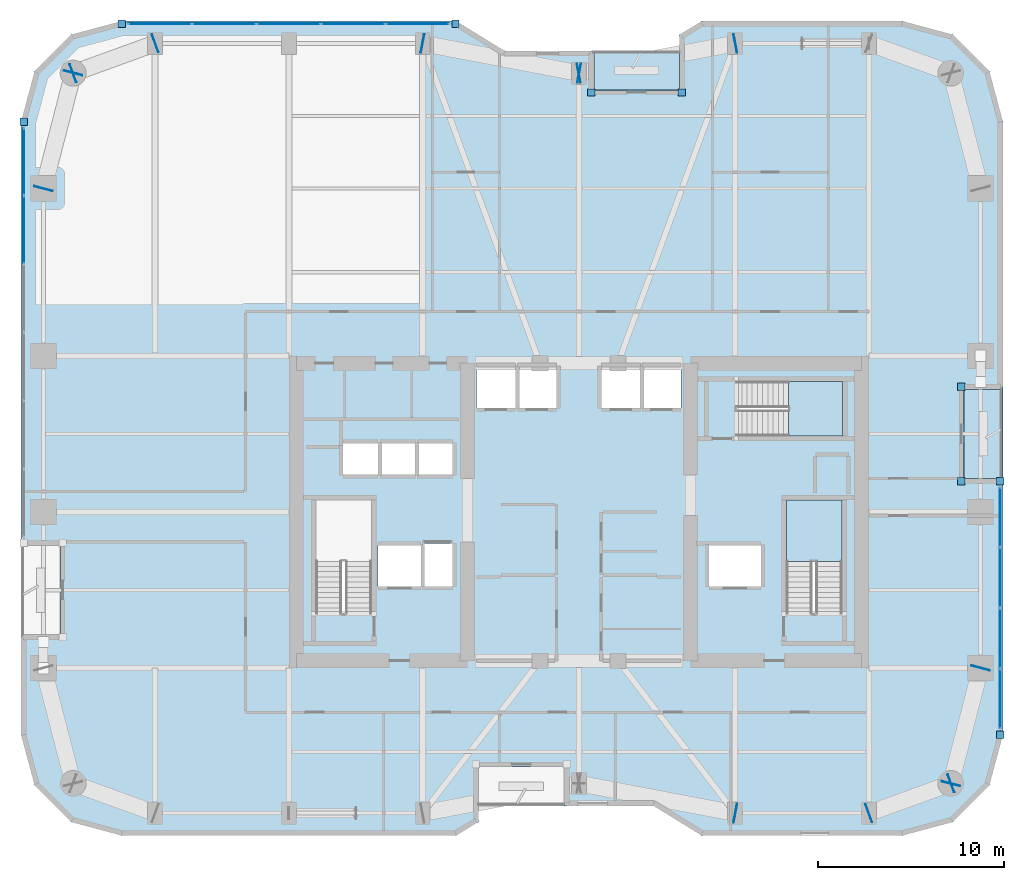
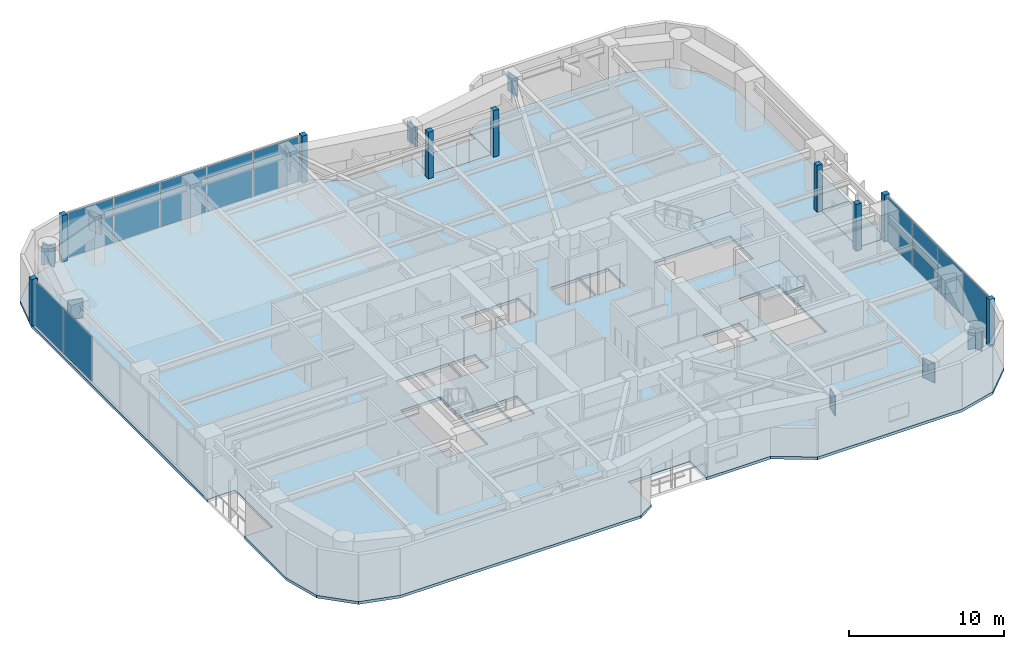
# One storey, part 22 of 31: 33 plates, 5 slabs, 5 elements without a shape of their own.
"""IFC4 building model written with IfcOpenShell, lengths in metres."""

from ifc_helpers import new_model, si_unit, direction, frame, origin, origin_2d, place, context, subcontext, project, spatial, polyline, rectangle, outline, extrude, material, layer, layer_set, type_object, element, aggregate, save


model = new_model("IFC4")

# Units and contexts
model_context = context("Model", 3, precision=1e-05, world=origin(), true_north=direction((0.0, 1.0)))
body_context = subcontext(model_context, "Body", "Model", "MODEL_VIEW")
ifc_project = project(units=[si_unit("LENGTHUNIT", "METRE"), si_unit("AREAUNIT", "SQUARE_METRE"), si_unit("VOLUMEUNIT", "CUBIC_METRE"), si_unit("PLANEANGLEUNIT", "RADIAN"), si_unit("MASSUNIT", "GRAM", prefix="KILO")], contexts=[model_context])

# Site, building, storey
site_placement = place(None, origin())
site = spatial("IfcSite", under=ifc_project, at=site_placement, CompositionType="ELEMENT")
building_placement = place(site_placement, origin())
building = spatial("IfcBuilding", under=site, at=building_placement, Name="Kiyonajd Concourse Tower", CompositionType="ELEMENT")
storey_placement = place(building_placement, frame((0.0, 0.0, 158.39990234375)))
storey = spatial("IfcBuildingStorey", under=building, at=storey_placement, Name="L40", CompositionType="ELEMENT", Elevation=158.39990234375)

# Plates
ifc_material_1 = material(Name="Steel ASTM A572 Grade 50", Category="steel")
ifc_layer_1 = layer(ifc_material_1, 0.031982421875)
ifc_layer_set_1 = layer_set([ifc_layer_1], Name="Steel ASTM A572 Grade 50")
plate_type_1 = type_object("IfcPlateType", Name="PL-CAP-540", PredefinedType="USERDEFINED", material=ifc_layer_set_1)
for number, where, z_axis, x_axis, name in (
    (1, (56.410888671875, 19.7978515625, 2.2099609375), (0.0, 0.0, 1.0), (0.982352599301, -0.187038420242, 0.0), "L40 Welded Box Girder End Cap"),
    (2, (63.589599609375, 19.796142578125, 2.2099609375), (0.0, 0.0, 1.0), (-0.939811951086, -0.341692107891, 0.0), "L40 Welded Box Girder End Cap"),
    (3, (68.01025390625, 21.40380859375, 2.2099609375), (0.0, 0.0, 1.0), (0.939811951086, 0.341692107891, 0.0), "L40 Welded Box Girder End Cap"),
    (4, (67.997314453125, 21.389404296875, 2.2099609375), (0.0, 0.0, 1.0), (-0.249873048837, -0.968278606324, 0.0), "L40 Welded Box Girder End Cap"),
    (5, (69.602783203125, 27.610595703125, 2.2099609375), (0.0, 0.0, 1.0), (0.249873048837, 0.968278606324, 0.0), "L40 Welded Box Girder End Cap"),
    (6, (56.410888671875, 61.2021484375, 2.2099609375), (0.0, 0.0, 1.0), (0.982352599301, 0.187038420242, 0.0), "L40 Welded Box Girder End Cap"),
    (7, (47.9892578125, 59.597900390625, 2.2099609375), (0.0, 0.0, 1.0), (-0.982352599301, -0.187038420242, 0.0), "L40 Welded Box Girder End Cap"),
    (8, (48.0107421875, 59.597900390625, 2.2099609375), (0.0, 0.0, 1.0), (0.982352599301, -0.187038420242, 0.0), "L40 Welded Box Girder End Cap"),
    (9, (39.589111328125, 61.2021484375, 2.2099609375), (0.0, 0.0, 1.0), (-0.982352599301, 0.187038420242, 0.0), "L40 Welded Box Girder End Cap"),
    (10, (25.210205078125, 61.203857421875, 2.2099609375), (0.0, 0.0, 1.0), (0.939811951086, 0.341692107891, 0.0), "L40 Welded Box Girder End Cap"),
    (11, (20.789794921875, 59.59619140625, 2.2099609375), (0.0, 0.0, 1.0), (-0.939811951086, -0.341692107891, 0.0), "L40 Welded Box Girder End Cap"),
    (12, (20.802734375, 59.610595703125, 2.2099609375), (0.0, 0.0, 1.0), (0.249873048837, 0.968278606324, 0.0), "L40 Welded Box Girder End Cap"),
    (13, (19.197265625, 53.389404296875, 2.2099609375), (0.0, 0.0, 1.0), (-0.249873048837, -0.968278606324, 0.0), "L40 Welded Box Girder End Cap"),
):
    element("IfcPlate", number, at=place(storey_placement, frame(where, z_axis=z_axis, x_axis=x_axis)), inside=storey, type_object=plate_type_1, Name=name, ObjectType="CAP PLATE", PredefinedType="USERDEFINED", context=body_context, shape_type="SweptSolid", body=[
        extrude(rectangle(XDim=0.035888671875, YDim=1.02001953125, at=origin_2d()), origin(), (0.0, 0.0, 1.0), 1.5400390625),
    ])

# Curtain wall, plates
ifc_material_2 = material(Name="Thermally Broken Anodised Aluminium", Category="aluminium")
ifc_layer_2 = layer(ifc_material_2, 0.179931640625)
ifc_layer_set_2 = layer_set([ifc_layer_2], Name="Thermally Broken Anodised Aluminium")
curtain_wall_type = type_object("IfcCurtainWallType", Name="CW-SYS-03", PredefinedType="NOTDEFINED", material=ifc_layer_set_2)
curtain_wall_1_placement = place(storey_placement, origin())
curtain_wall_1 = element("IfcCurtainWall", 14, at=curtain_wall_1_placement, inside=storey, type_object=curtain_wall_type, Name="L40 Unitised Curtain Wall CW3", PredefinedType="NOTDEFINED")
ifc_material_3 = material(Name="Double Low-E Insulated Glass", Category="glass")
ifc_layer_3 = layer(ifc_material_3, 0.033935546875)
ifc_layer_set_3 = layer_set([ifc_layer_3], Name="Double Low-E Insulated Glass")
plate_type_2 = type_object("IfcPlateType", Name="PL-CW-VIS34", PredefinedType="CURTAIN_PANEL", material=ifc_layer_set_3)
plate_1_placement = place(storey_placement, frame((18.139892578125, 51.17626953125, 0.06494140625), z_axis=(0.0, 0.0, 1.0), x_axis=(0.0, 1.0, 0.0)))
plate_1 = element("IfcPlate", 15, at=plate_1_placement, type_object=plate_type_2, Name="CW3 panel 5.1", PredefinedType="CURTAIN_PANEL", context=body_context, shape_type="SweptSolid", body=[
    extrude(rectangle(XDim=3.61181640625, YDim=0.033935546875, at=origin_2d()), origin(), (0.0, 0.0, 1.0), 3.550048828125),
])
plate_2_placement = place(storey_placement, frame((18.139892578125, 54.8369140625, 0.06494140625), z_axis=(0.0, 0.0, 1.0), x_axis=(0.0, 1.0, 0.0)))
plate_2 = element("IfcPlate", 16, at=plate_2_placement, type_object=plate_type_2, Name="CW3 panel 6.1", PredefinedType="CURTAIN_PANEL", context=body_context, shape_type="SweptSolid", body=[
    extrude(rectangle(XDim=3.579345703125, YDim=0.033935546875, at=origin_2d()), origin(), (0.0, 0.0, 1.0), 3.550048828125),
])
aggregate(curtain_wall_1, [plate_1, plate_2])

curtain_wall_2_placement = place(storey_placement, origin())
curtain_wall_2 = element("IfcCurtainWall", 17, at=curtain_wall_2_placement, inside=storey, type_object=curtain_wall_type, Name="L40 Unitised Curtain Wall CW3", PredefinedType="NOTDEFINED")
plate_3_placement = place(storey_placement, frame((25.4609375, 62.260009765625, 0.06494140625), z_axis=(0.0, 0.0, 1.0), x_axis=(1.0, 0.0, 0.0)))
plate_3 = element("IfcPlate", 18, at=plate_3_placement, type_object=plate_type_2, Name="CW3 panel 1.1", PredefinedType="CURTAIN_PANEL", context=body_context, shape_type="SweptSolid", body=[
    extrude(rectangle(XDim=3.375, YDim=0.033935546875, at=origin_2d()), origin(), (0.0, 0.0, 1.0), 3.550048828125),
])
plate_4_placement = place(storey_placement, frame((28.9169921875, 62.260009765625, 0.06494140625), z_axis=(0.0, 0.0, 1.0), x_axis=(1.0, 0.0, 0.0)))
plate_4 = element("IfcPlate", 19, at=plate_4_placement, type_object=plate_type_2, Name="CW3 panel 2.1", PredefinedType="CURTAIN_PANEL", context=body_context, shape_type="SweptSolid", body=[
    extrude(rectangle(XDim=3.407470703125, YDim=0.033935546875, at=origin_2d()), origin(), (0.0, 0.0, 1.0), 3.550048828125),
])
plate_5_placement = place(storey_placement, frame((32.389404296875, 62.260009765625, 0.06494140625), z_axis=(0.0, 0.0, 1.0), x_axis=(1.0, 0.0, 0.0)))
plate_5 = element("IfcPlate", 20, at=plate_5_placement, type_object=plate_type_2, Name="CW3 panel 3.1", PredefinedType="CURTAIN_PANEL", context=body_context, shape_type="SweptSolid", body=[
    extrude(rectangle(XDim=3.407470703125, YDim=0.033935546875, at=origin_2d()), origin(), (0.0, 0.0, 1.0), 3.550048828125),
])
plate_6_placement = place(storey_placement, frame((35.86181640625, 62.260009765625, 0.06494140625), z_axis=(0.0, 0.0, 1.0), x_axis=(1.0, 0.0, 0.0)))
plate_6 = element("IfcPlate", 21, at=plate_6_placement, type_object=plate_type_2, Name="CW3 panel 4.1", PredefinedType="CURTAIN_PANEL", context=body_context, shape_type="SweptSolid", body=[
    extrude(rectangle(XDim=3.407470703125, YDim=0.033935546875, at=origin_2d()), origin(), (0.0, 0.0, 1.0), 3.550048828125),
])
plate_7_placement = place(storey_placement, frame((39.31787109375, 62.260009765625, 0.06494140625), z_axis=(0.0, 0.0, 1.0), x_axis=(1.0, 0.0, 0.0)))
plate_7 = element("IfcPlate", 22, at=plate_7_placement, type_object=plate_type_2, Name="CW3 panel 5.1", PredefinedType="CURTAIN_PANEL", context=body_context, shape_type="SweptSolid", body=[
    extrude(rectangle(XDim=3.375, YDim=0.033935546875, at=origin_2d()), origin(), (0.0, 0.0, 1.0), 3.550048828125),
])
aggregate(curtain_wall_2, [plate_3, plate_4, plate_5, plate_6, plate_7])

curtain_wall_3_placement = place(storey_placement, origin())
curtain_wall_3 = element("IfcCurtainWall", 23, at=curtain_wall_3_placement, inside=storey, type_object=curtain_wall_type, Name="L40 Unitised Curtain Wall CW3", PredefinedType="NOTDEFINED")
plate_8_placement = place(storey_placement, frame((70.659912109375, 35.720947265625, 0.06494140625), z_axis=(0.0, 0.0, 1.0), x_axis=(0.0, -1.0, 0.0)))
plate_8 = element("IfcPlate", 24, at=plate_8_placement, type_object=plate_type_2, Name="CW3 panel 1.1", PredefinedType="CURTAIN_PANEL", context=body_context, shape_type="SweptSolid", body=[
    extrude(rectangle(XDim=3.16796875, YDim=0.033935546875, at=origin_2d()), origin(), (0.0, 0.0, 1.0), 3.550048828125),
])
plate_9_placement = place(storey_placement, frame((70.659912109375, 32.471923828125, 0.06494140625), z_axis=(0.0, 0.0, 1.0), x_axis=(0.0, -1.0, 0.0)))
plate_9 = element("IfcPlate", 25, at=plate_9_placement, type_object=plate_type_2, Name="CW3 panel 2.1", PredefinedType="CURTAIN_PANEL", context=body_context, shape_type="SweptSolid", body=[
    extrude(rectangle(XDim=3.200439453125, YDim=0.033935546875, at=origin_2d()), origin(), (0.0, 0.0, 1.0), 3.550048828125),
])
plate_10_placement = place(storey_placement, frame((70.659912109375, 29.20654296875, 0.06494140625), z_axis=(0.0, 0.0, 1.0), x_axis=(0.0, -1.0, 0.0)))
plate_10 = element("IfcPlate", 26, at=plate_10_placement, type_object=plate_type_2, Name="CW3 panel 3.1", PredefinedType="CURTAIN_PANEL", context=body_context, shape_type="SweptSolid", body=[
    extrude(rectangle(XDim=3.200439453125, YDim=0.033935546875, at=origin_2d()), origin(), (0.0, 0.0, 1.0), 3.550048828125),
])
plate_11_placement = place(storey_placement, frame((70.659912109375, 25.957275390625, 0.06494140625), z_axis=(0.0, 0.0, 1.0), x_axis=(0.0, -1.0, 0.0)))
plate_11 = element("IfcPlate", 27, at=plate_11_placement, type_object=plate_type_2, Name="CW3 panel 4.1", PredefinedType="CURTAIN_PANEL", context=body_context, shape_type="SweptSolid", body=[
    extrude(rectangle(XDim=3.16796875, YDim=0.033935546875, at=origin_2d()), origin(), (0.0, 0.0, 1.0), 3.550048828125),
])
aggregate(curtain_wall_3, [plate_8, plate_9, plate_10, plate_11])

# Plates
ifc_layer_4 = layer(ifc_material_2, 0.39990234375)
ifc_layer_set_4 = layer_set([ifc_layer_4], Name="Thermally Broken Anodised Aluminium")
plate_type_3 = type_object("IfcPlateType", Name="PL-JMB-400", PredefinedType="USERDEFINED", material=ifc_layer_set_4)
for number, where, z_axis, x_axis, name in (
    (28, (18.139892578125, 56.981689453125, 0.0), (0.0, 0.0, 1.0), (1.0, 0.0, 0.0), "L40 Facade Jamb Closure Plate 04"),
    (29, (23.41845703125, 62.260009765625, 0.0), (0.0, 0.0, 1.0), (1.0, 0.0, 0.0), "L40 Facade Jamb Closure Plate 05"),
    (30, (41.3603515625, 62.260009765625, 0.0), (0.0, 0.0, 1.0), (1.0, 0.0, 0.0), "L40 Facade Jamb Closure Plate 06"),
    (31, (48.659912109375, 58.56005859375, 0.0), (0.0, 0.0, 1.0), (1.0, 0.0, 0.0), "L40 Facade Jamb Closure Plate 07"),
    (32, (53.5400390625, 58.56005859375, 0.0), (0.0, 0.0, 1.0), (1.0, 0.0, 0.0), "L40 Facade Jamb Closure Plate 08"),
    (33, (68.56005859375, 42.739990234375, 0.0), (0.0, 0.0, 1.0), (1.0, 0.0, 0.0), "L40 Facade Jamb Closure Plate 09"),
    (34, (68.56005859375, 37.659912109375, 0.0), (0.0, 0.0, 1.0), (1.0, 0.0, 0.0), "L40 Facade Jamb Closure Plate 10"),
    (35, (70.659912109375, 37.659912109375, 0.0), (0.0, 0.0, 1.0), (1.0, 0.0, 0.0), "L40 Facade Jamb Closure Plate 11"),
    (36, (70.659912109375, 24.018310546875, 0.0), (0.0, 0.0, 1.0), (1.0, 0.0, 0.0), "L40 Facade Jamb Closure Plate 12"),
):
    element("IfcPlate", number, at=place(storey_placement, frame(where, z_axis=z_axis, x_axis=x_axis)), inside=storey, type_object=plate_type_3, Name=name, ObjectType="JAMB PLATE", PredefinedType="USERDEFINED", context=body_context, shape_type="SweptSolid", body=[
        extrude(rectangle(XDim=0.39990234375, YDim=0.39990234375, at=origin_2d()), origin(), (0.0, 0.0, 1.0), 3.679931640625),
    ])

# Stair, slab
ifc_material_4 = material(Name="Concrete C40/50", Category="concrete")
stair_type = type_object("IfcStairType", Name="ST-DLG-22R", PredefinedType="HALF_TURN_STAIR", material=ifc_material_4)
stair_1_placement = place(storey_placement, origin())
stair_1 = element("IfcStair", 37, at=stair_1_placement, inside=storey, type_object=stair_type, Name="L40 Protected Exit Stair ST2", PredefinedType="HALF_TURN_STAIR")
ifc_layer_5 = layer(ifc_material_4, 0.199951171875)
ifc_layer_set_5 = layer_set([ifc_layer_5], Name="Concrete C40/50")
slab_type_1 = type_object("IfcSlabType", Name="SL-LND-200", PredefinedType="LANDING", material=ifc_layer_set_5)
slab_1_placement = place(storey_placement, frame((0.0, 0.0, 1.75)))
slab_1 = element("IfcSlab", 38, at=slab_1_placement, type_object=slab_type_1, Name="ST2 landing 1", PredefinedType="LANDING", context=body_context, shape_type="SweptSolid", body=[
    extrude(outline(polyline([(62.14990234375, 33.35009765625), (62.14990234375, 36.64990234375), (59.14990234375, 36.64990234375), (59.14990234375, 33.35009765625), (62.14990234375, 33.35009765625)])), origin(), (0.0, 0.0, 1.0), 0.2001953125),
])
aggregate(stair_1, [slab_1])

stair_2_placement = place(storey_placement, origin())
stair_2 = element("IfcStair", 39, at=stair_2_placement, inside=storey, type_object=stair_type, Name="L40 Protected Exit Stair ST3", PredefinedType="HALF_TURN_STAIR")
slab_2_placement = place(storey_placement, frame((0.0, 0.0, 1.75)))
slab_2 = element("IfcSlab", 40, at=slab_2_placement, type_object=slab_type_1, Name="ST3 landing 1", PredefinedType="LANDING", context=body_context, shape_type="SweptSolid", body=[
    extrude(outline(polyline([(59.280029296875, 40.080078125), (62.179931640625, 40.080078125), (62.179931640625, 43.02001953125), (59.280029296875, 43.02001953125), (59.280029296875, 40.080078125)])), origin(), (0.0, 0.0, 1.0), 0.2001953125),
])
aggregate(stair_2, [slab_2])

# Slabs
ifc_material_5 = material(Name="Precast concrete C50/60", Category="concrete")
ifc_layer_6 = layer(ifc_material_5, 0.199951171875)
ifc_layer_set_6 = layer_set([ifc_layer_6], Name="Precast concrete C50/60")
slab_type_2 = type_object("IfcSlabType", Name="SL-LOG-200", PredefinedType="FLOOR", material=ifc_layer_set_6)
slab_3_placement = place(storey_placement, frame((0.0, 0.0, -0.199951171875)))
element("IfcSlab", 41, at=slab_3_placement, inside=storey, type_object=slab_type_2, Name="L40 Recessed Engawa Loggia Terrace Slab LOG-N", PredefinedType="FLOOR", context=body_context, shape_type="SweptSolid", body=[
    extrude(outline(polyline([(48.800048828125, 58.699951171875), (53.39990234375, 58.699951171875), (53.39990234375, 60.800048828125), (48.800048828125, 60.800048828125), (48.800048828125, 58.699951171875)])), origin(), (0.0, 0.0, 1.0), 0.199951171875),
])
slab_4_placement = place(storey_placement, frame((0.0, 0.0, -0.199951171875)))
element("IfcSlab", 42, at=slab_4_placement, inside=storey, type_object=slab_type_2, Name="L40 Recessed Engawa Loggia Terrace Slab LOG-E", PredefinedType="FLOOR", context=body_context, shape_type="SweptSolid", body=[
    extrude(outline(polyline([(68.699951171875, 37.800048828125), (70.800048828125, 37.800048828125), (70.800048828125, 42.60009765625), (68.699951171875, 42.60009765625), (68.699951171875, 37.800048828125)])), origin(), (0.0, 0.0, 1.0), 0.199951171875),
])
ifc_layer_7 = layer(ifc_material_4, 0.219970703125)
ifc_layer_set_7 = layer_set([ifc_layer_7], Name="Concrete C40/50")
slab_type_3 = type_object("IfcSlabType", Name="SL-TWR-220", PredefinedType="FLOOR", material=ifc_layer_set_7)
slab_5_placement = place(storey_placement, frame((0.0, 0.0, -0.219970703125)))
element("IfcSlab", 43, at=slab_5_placement, inside=storey, type_object=slab_type_3, Name="L40 Tower Conditioned Floor Slab", PredefinedType="FLOOR", context=body_context, shape_type="SweptSolid", body=[
    extrude(outline(polyline([(18.722900390625, 21.300048828125), (18.0, 24.0), (18.0, 29.39990234375), (20.10009765625, 29.39990234375), (20.10009765625, 34.199951171875), (18.0, 34.199951171875), (18.0, 57.0), (18.722900390625, 59.699951171875), (20.699951171875, 61.677001953125), (23.39990234375, 62.39990234375), (41.39990234375, 62.39990234375), (44.0, 60.800048828125), (48.800048828125, 60.800048828125), (48.800048828125, 58.699951171875), (53.39990234375, 58.699951171875), (53.39990234375, 61.662109375), (54.60009765625, 62.39990234375), (65.39990234375, 62.39990234375), (68.10009765625, 61.677001953125), (70.076904296875, 59.699951171875), (70.800048828125, 57.0), (70.800048828125, 42.60009765625), (68.699951171875, 42.60009765625), (68.699951171875, 37.800048828125), (70.800048828125, 37.800048828125), (70.800048828125, 24.0), (70.076904296875, 21.300048828125), (68.10009765625, 19.322998046875), (65.39990234375, 18.60009765625), (54.60009765625, 18.60009765625), (52.0, 20.199951171875), (47.199951171875, 20.199951171875), (47.199951171875, 22.300048828125), (42.60009765625, 22.300048828125), (42.60009765625, 19.337890625), (41.39990234375, 18.60009765625), (23.39990234375, 18.60009765625), (20.699951171875, 19.322998046875), (18.722900390625, 21.300048828125)]), holes=[polyline([(39.5, 32.0), (37.199951171875, 32.0), (37.199951171875, 34.199951171875), (39.5, 34.199951171875), (39.5, 32.0)]), polyline([(39.60009765625, 32.0), (39.60009765625, 34.300048828125), (41.199951171875, 34.300048828125), (41.199951171875, 32.0), (39.60009765625, 32.0)]), polyline([(33.85009765625, 30.550048828125), (33.85009765625, 36.64990234375), (36.85009765625, 36.64990234375), (36.85009765625, 30.550048828125), (33.85009765625, 30.550048828125)]), polyline([(37.199951171875, 38.0), (35.300048828125, 38.0), (35.300048828125, 39.699951171875), (37.199951171875, 39.699951171875), (37.199951171875, 38.0)]), polyline([(37.300048828125, 38.0), (37.300048828125, 39.699951171875), (39.199951171875, 39.699951171875), (39.199951171875, 38.0), (37.300048828125, 38.0)]), polyline([(39.300048828125, 38.0), (39.300048828125, 39.699951171875), (41.199951171875, 39.699951171875), (41.199951171875, 38.0), (39.300048828125, 38.0)]), polyline([(44.60009765625, 41.60009765625), (42.5, 41.60009765625), (42.5, 43.800048828125), (44.60009765625, 43.800048828125), (44.60009765625, 41.60009765625)]), polyline([(55.0, 32.0), (55.0, 34.199951171875), (57.800048828125, 34.199951171875), (57.800048828125, 32.0), (55.0, 32.0)]), polyline([(59.14990234375, 30.550048828125), (59.14990234375, 36.64990234375), (62.14990234375, 36.64990234375), (62.14990234375, 30.550048828125), (59.14990234375, 30.550048828125)]), polyline([(56.47998046875, 43.02001953125), (62.179931640625, 43.02001953125), (62.179931640625, 40.080078125), (56.47998046875, 40.080078125), (56.47998046875, 43.02001953125)]), polyline([(44.699951171875, 41.60009765625), (44.699951171875, 43.800048828125), (46.800048828125, 43.800048828125), (46.800048828125, 41.60009765625), (44.699951171875, 41.60009765625)]), polyline([(49.199951171875, 41.60009765625), (49.199951171875, 43.800048828125), (51.300048828125, 43.800048828125), (51.300048828125, 41.60009765625), (49.199951171875, 41.60009765625)]), polyline([(51.39990234375, 41.60009765625), (51.39990234375, 43.800048828125), (53.5, 43.800048828125), (53.5, 41.60009765625), (51.39990234375, 41.60009765625)])]), origin(), (0.0, 0.0, 1.0), 0.219970703125),
])

save(model, "model.ifc")
